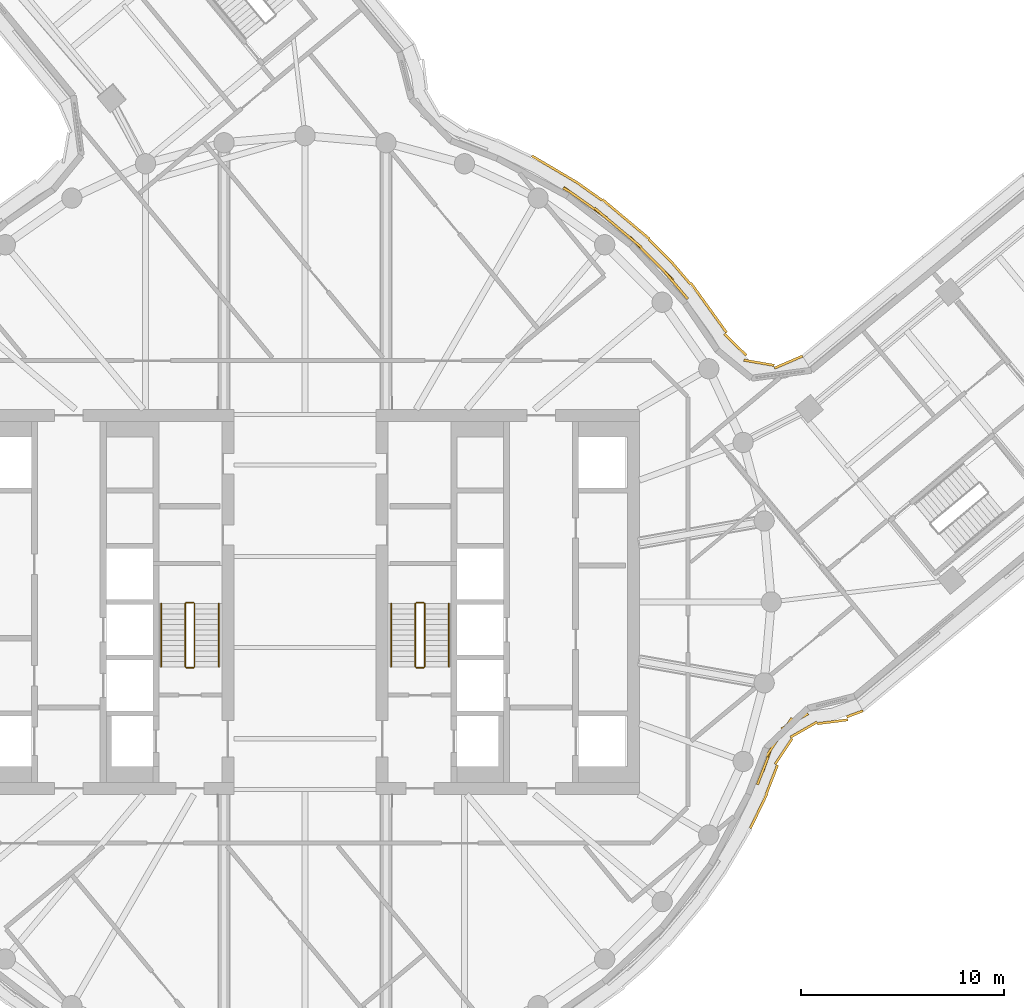
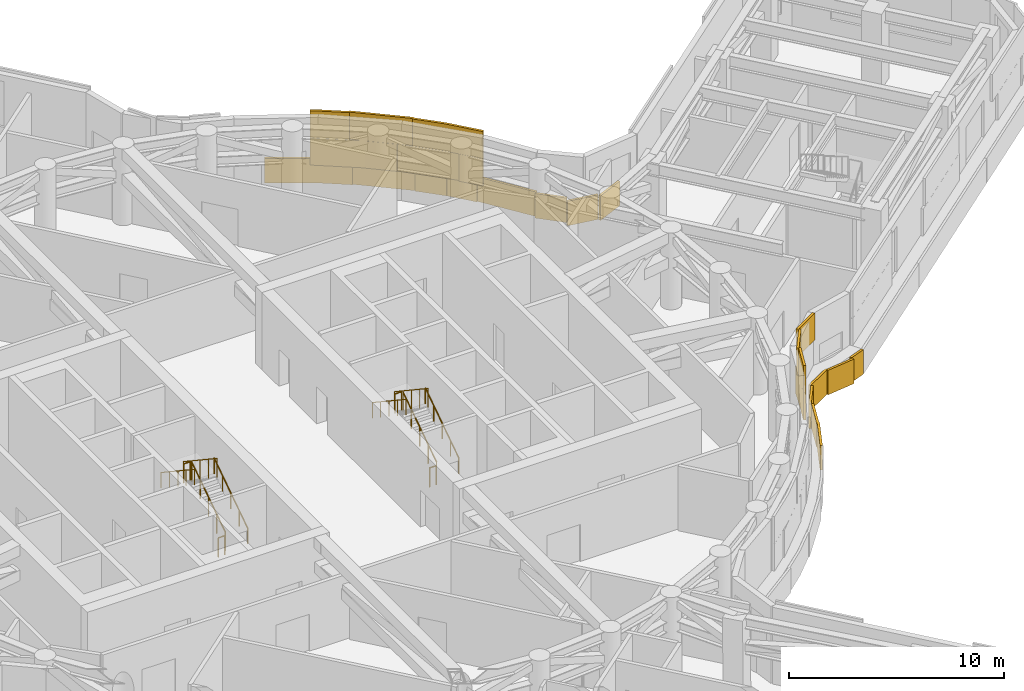
# One storey, part 19 of 22: 12 railings, 2 coverings.
"""IFC4 building model written with IfcOpenShell, lengths in metres."""

from ifc_helpers import new_model, si_unit, direction, frame, origin, origin_2d, place, context, subcontext, project, spatial, rectangle, circle, extrude, material, layer, layer_set, type_object, element, save


model = new_model("IFC4")

# Units and contexts
model_context = context("Model", 3, precision=1e-05, world=origin(), true_north=direction((0.0, 1.0)))
body_context = subcontext(model_context, "Body", "Model", "MODEL_VIEW")
ifc_project = project(units=[si_unit("LENGTHUNIT", "METRE"), si_unit("AREAUNIT", "SQUARE_METRE"), si_unit("VOLUMEUNIT", "CUBIC_METRE"), si_unit("PLANEANGLEUNIT", "RADIAN"), si_unit("MASSUNIT", "GRAM", prefix="KILO")], contexts=[model_context])

# Site, building, storey
site_placement = place(None, origin())
site = spatial("IfcSite", under=ifc_project, at=site_placement, CompositionType="ELEMENT")
building_placement = place(site_placement, origin())
building = spatial("IfcBuilding", under=site, at=building_placement, Name="Tamarind Cross Interchange Tower", CompositionType="ELEMENT")
storey_placement = place(building_placement, frame((0.0, 0.0, 178.0)))
storey = spatial("IfcBuildingStorey", under=building, at=storey_placement, Name="L44", CompositionType="ELEMENT", Elevation=178.0)

# Railings
ifc_material_1 = material(Name="Stair guard")
railing_type_1 = type_object("IfcRailingType", Name="Stair guard", PredefinedType="GUARDRAIL", material=ifc_material_1)
railing_1_placement = place(storey_placement, frame((-5.449951171875, -3.199951171875, 0.173095703125)))
element("IfcRailing", 1, at=railing_1_placement, inside=storey, type_object=railing_type_1, Name="L44 ST1 stair guard 1", PredefinedType="GUARDRAIL", context=body_context, shape_type="SweptSolid", body=[
    extrude(circle(Radius=0.02392578125, at=origin_2d()), frame((0.0, 0.0, 1.076171875), z_axis=(0.0, 0.832420903958, 0.554143879018), x_axis=(-1.0, 0.0, 0.0)), (0.0, 0.0, 1.0), 3.748046875),
    extrude(circle(Radius=0.02099609375, at=origin_2d()), origin(), (0.0, 0.0, 1.0), 1.052001953125),
    extrude(circle(Radius=0.02099609375, at=origin_2d()), frame((0.0, 0.780029296875, 0.519287109375)), (0.0, 0.0, 1.0), 1.052001953125),
    extrude(circle(Radius=0.02099609375, at=origin_2d()), frame((0.0, 1.56005859375, 1.03857421875)), (0.0, 0.0, 1.0), 1.052001953125),
    extrude(circle(Radius=0.02099609375, at=origin_2d()), frame((0.0, 2.33984375, 1.5576171875)), (0.0, 0.0, 1.0), 1.052001953125),
    extrude(circle(Radius=0.02099609375, at=origin_2d()), frame((0.0, 3.119873046875, 2.076904296875)), (0.0, 0.0, 1.0), 1.052001953125),
])
railing_2_placement = place(storey_placement, frame((-5.5, -0.030029296875, 2.25)))
element("IfcRailing", 2, at=railing_2_placement, inside=storey, type_object=railing_type_1, Name="L44 ST1 stair guard 2", PredefinedType="GUARDRAIL", context=body_context, shape_type="SweptSolid", body=[
    extrude(circle(Radius=0.02392578125, at=origin_2d()), frame((0.0, 0.0, 1.076171875), z_axis=(-1.0, 0.0, 0.0), x_axis=(0.0, -1.0, 0.0)), (0.0, 0.0, 1.0), 0.35009765625),
    extrude(circle(Radius=0.02099609375, at=origin_2d()), origin(), (0.0, 0.0, 1.0), 1.052001953125),
    extrude(circle(Radius=0.02099609375, at=origin_2d()), frame((-0.35009765625, 0.0, 0.0)), (0.0, 0.0, 1.0), 1.052001953125),
])
railing_3_placement = place(storey_placement, frame((-5.89990234375, -0.080078125, 2.423095703125)))
element("IfcRailing", 3, at=railing_3_placement, inside=storey, type_object=railing_type_1, Name="L44 ST1 stair guard 3", PredefinedType="GUARDRAIL", context=body_context, shape_type="SweptSolid", body=[
    extrude(circle(Radius=0.02392578125, at=origin_2d()), frame((0.0, 0.0, 1.076171875), z_axis=(0.0, -0.832420903958, 0.554143879018), x_axis=(1.0, 0.0, 0.0)), (0.0, 0.0, 1.0), 3.748046875),
    extrude(circle(Radius=0.02099609375, at=origin_2d()), origin(), (0.0, 0.0, 1.0), 1.052001953125),
    extrude(circle(Radius=0.02099609375, at=origin_2d()), frame((0.0, -0.780029296875, 0.519287109375)), (0.0, 0.0, 1.0), 1.052001953125),
    extrude(circle(Radius=0.02099609375, at=origin_2d()), frame((0.0, -1.56005859375, 1.03857421875)), (0.0, 0.0, 1.0), 1.052001953125),
    extrude(circle(Radius=0.02099609375, at=origin_2d()), frame((0.0, -2.33984375, 1.5576171875)), (0.0, 0.0, 1.0), 1.052001953125),
    extrude(circle(Radius=0.02099609375, at=origin_2d()), frame((0.0, -3.119873046875, 2.076904296875)), (0.0, 0.0, 1.0), 1.052001953125),
])
railing_4_placement = place(storey_placement, frame((-5.5, -3.25, 0.0)))
element("IfcRailing", 4, at=railing_4_placement, inside=storey, type_object=railing_type_1, Name="L44 ST1 stair guard 4", PredefinedType="GUARDRAIL", context=body_context, shape_type="SweptSolid", body=[
    extrude(circle(Radius=0.02392578125, at=origin_2d()), frame((0.0, 0.0, 1.076171875), z_axis=(-1.0, 0.0, 0.0), x_axis=(0.0, -1.0, 0.0)), (0.0, 0.0, 1.0), 0.35009765625),
    extrude(circle(Radius=0.02099609375, at=origin_2d()), origin(), (0.0, 0.0, 1.0), 1.052001953125),
    extrude(circle(Radius=0.02099609375, at=origin_2d()), frame((-0.35009765625, 0.0, 0.0)), (0.0, 0.0, 1.0), 1.052001953125),
])
railing_5_placement = place(storey_placement, frame((5.89990234375, -3.199951171875, 0.173095703125)))
element("IfcRailing", 5, at=railing_5_placement, inside=storey, type_object=railing_type_1, Name="L44 ST2 stair guard 1", PredefinedType="GUARDRAIL", context=body_context, shape_type="SweptSolid", body=[
    extrude(circle(Radius=0.02392578125, at=origin_2d()), frame((0.0, 0.0, 1.076171875), z_axis=(0.0, 0.832420903958, 0.554143879018), x_axis=(-1.0, 0.0, 0.0)), (0.0, 0.0, 1.0), 3.748046875),
    extrude(circle(Radius=0.02099609375, at=origin_2d()), origin(), (0.0, 0.0, 1.0), 1.052001953125),
    extrude(circle(Radius=0.02099609375, at=origin_2d()), frame((0.0, 0.780029296875, 0.519287109375)), (0.0, 0.0, 1.0), 1.052001953125),
    extrude(circle(Radius=0.02099609375, at=origin_2d()), frame((0.0, 1.56005859375, 1.03857421875)), (0.0, 0.0, 1.0), 1.052001953125),
    extrude(circle(Radius=0.02099609375, at=origin_2d()), frame((0.0, 2.33984375, 1.5576171875)), (0.0, 0.0, 1.0), 1.052001953125),
    extrude(circle(Radius=0.02099609375, at=origin_2d()), frame((0.0, 3.119873046875, 2.076904296875)), (0.0, 0.0, 1.0), 1.052001953125),
])
railing_6_placement = place(storey_placement, frame((5.85009765625, -0.030029296875, 2.25)))
element("IfcRailing", 6, at=railing_6_placement, inside=storey, type_object=railing_type_1, Name="L44 ST2 stair guard 2", PredefinedType="GUARDRAIL", context=body_context, shape_type="SweptSolid", body=[
    extrude(circle(Radius=0.02392578125, at=origin_2d()), frame((0.0, 0.0, 1.076171875), z_axis=(-1.0, 0.0, 0.0), x_axis=(0.0, -1.0, 0.0)), (0.0, 0.0, 1.0), 0.35009765625),
    extrude(circle(Radius=0.02099609375, at=origin_2d()), origin(), (0.0, 0.0, 1.0), 1.052001953125),
    extrude(circle(Radius=0.02099609375, at=origin_2d()), frame((-0.35009765625, 0.0, 0.0)), (0.0, 0.0, 1.0), 1.052001953125),
])
railing_7_placement = place(storey_placement, frame((5.449951171875, -0.080078125, 2.423095703125)))
element("IfcRailing", 7, at=railing_7_placement, inside=storey, type_object=railing_type_1, Name="L44 ST2 stair guard 3", PredefinedType="GUARDRAIL", context=body_context, shape_type="SweptSolid", body=[
    extrude(circle(Radius=0.02392578125, at=origin_2d()), frame((0.0, 0.0, 1.076171875), z_axis=(0.0, -0.832420903958, 0.554143879018), x_axis=(1.0, 0.0, 0.0)), (0.0, 0.0, 1.0), 3.748046875),
    extrude(circle(Radius=0.02099609375, at=origin_2d()), origin(), (0.0, 0.0, 1.0), 1.052001953125),
    extrude(circle(Radius=0.02099609375, at=origin_2d()), frame((0.0, -0.780029296875, 0.519287109375)), (0.0, 0.0, 1.0), 1.052001953125),
    extrude(circle(Radius=0.02099609375, at=origin_2d()), frame((0.0, -1.56005859375, 1.03857421875)), (0.0, 0.0, 1.0), 1.052001953125),
    extrude(circle(Radius=0.02099609375, at=origin_2d()), frame((0.0, -2.33984375, 1.5576171875)), (0.0, 0.0, 1.0), 1.052001953125),
    extrude(circle(Radius=0.02099609375, at=origin_2d()), frame((0.0, -3.119873046875, 2.076904296875)), (0.0, 0.0, 1.0), 1.052001953125),
])
railing_8_placement = place(storey_placement, frame((5.85009765625, -3.25, 0.0)))
element("IfcRailing", 8, at=railing_8_placement, inside=storey, type_object=railing_type_1, Name="L44 ST2 stair guard 4", PredefinedType="GUARDRAIL", context=body_context, shape_type="SweptSolid", body=[
    extrude(circle(Radius=0.02392578125, at=origin_2d()), frame((0.0, 0.0, 1.076171875), z_axis=(-1.0, 0.0, 0.0), x_axis=(0.0, -1.0, 0.0)), (0.0, 0.0, 1.0), 0.35009765625),
    extrude(circle(Radius=0.02099609375, at=origin_2d()), origin(), (0.0, 0.0, 1.0), 1.052001953125),
    extrude(circle(Radius=0.02099609375, at=origin_2d()), frame((-0.35009765625, 0.0, 0.0)), (0.0, 0.0, 1.0), 1.052001953125),
])
ifc_material_2 = material(Name="Stair handrail")
railing_type_2 = type_object("IfcRailingType", Name="Stair handrail", PredefinedType="HANDRAIL", material=ifc_material_2)
railing_9_placement = place(storey_placement, frame((-4.25, -3.199951171875, 0.173095703125)))
element("IfcRailing", 9, at=railing_9_placement, inside=storey, type_object=railing_type_2, Name="L44 ST1 stair handrail 1", PredefinedType="HANDRAIL", context=body_context, shape_type="SweptSolid", body=[
    extrude(circle(Radius=0.02392578125, at=origin_2d()), frame((0.0, 0.0, 0.8759765625), z_axis=(0.0, 0.832420903958, 0.554143879018), x_axis=(-1.0, 0.0, 0.0)), (0.0, 0.0, 1.0), 3.748046875),
    extrude(circle(Radius=0.02099609375, at=origin_2d()), origin(), (0.0, 0.0, 1.0), 0.851806640625),
    extrude(circle(Radius=0.02099609375, at=origin_2d()), frame((0.0, 0.780029296875, 0.519287109375)), (0.0, 0.0, 1.0), 0.851806640625),
    extrude(circle(Radius=0.02099609375, at=origin_2d()), frame((0.0, 1.56005859375, 1.03857421875)), (0.0, 0.0, 1.0), 0.851806640625),
    extrude(circle(Radius=0.02099609375, at=origin_2d()), frame((0.0, 2.33984375, 1.5576171875)), (0.0, 0.0, 1.0), 0.851806640625),
    extrude(circle(Radius=0.02099609375, at=origin_2d()), frame((0.0, 3.119873046875, 2.076904296875)), (0.0, 0.0, 1.0), 0.851806640625),
])
railing_10_placement = place(storey_placement, frame((-7.10009765625, -0.080078125, 2.423095703125)))
element("IfcRailing", 10, at=railing_10_placement, inside=storey, type_object=railing_type_2, Name="L44 ST1 stair handrail 2", PredefinedType="HANDRAIL", context=body_context, shape_type="SweptSolid", body=[
    extrude(circle(Radius=0.02392578125, at=origin_2d()), frame((0.0, 0.0, 0.8759765625), z_axis=(0.0, -0.832420903958, 0.554143879018), x_axis=(1.0, 0.0, 0.0)), (0.0, 0.0, 1.0), 3.748046875),
    extrude(circle(Radius=0.02099609375, at=origin_2d()), origin(), (0.0, 0.0, 1.0), 0.851806640625),
    extrude(circle(Radius=0.02099609375, at=origin_2d()), frame((0.0, -0.780029296875, 0.519287109375)), (0.0, 0.0, 1.0), 0.851806640625),
    extrude(circle(Radius=0.02099609375, at=origin_2d()), frame((0.0, -1.56005859375, 1.03857421875)), (0.0, 0.0, 1.0), 0.851806640625),
    extrude(circle(Radius=0.02099609375, at=origin_2d()), frame((0.0, -2.33984375, 1.5576171875)), (0.0, 0.0, 1.0), 0.851806640625),
    extrude(circle(Radius=0.02099609375, at=origin_2d()), frame((0.0, -3.119873046875, 2.076904296875)), (0.0, 0.0, 1.0), 0.851806640625),
])
railing_11_placement = place(storey_placement, frame((7.10009765625, -3.199951171875, 0.173095703125)))
element("IfcRailing", 11, at=railing_11_placement, inside=storey, type_object=railing_type_2, Name="L44 ST2 stair handrail 1", PredefinedType="HANDRAIL", context=body_context, shape_type="SweptSolid", body=[
    extrude(circle(Radius=0.02392578125, at=origin_2d()), frame((0.0, 0.0, 0.8759765625), z_axis=(0.0, 0.832420903958, 0.554143879018), x_axis=(-1.0, 0.0, 0.0)), (0.0, 0.0, 1.0), 3.748046875),
    extrude(circle(Radius=0.02099609375, at=origin_2d()), origin(), (0.0, 0.0, 1.0), 0.851806640625),
    extrude(circle(Radius=0.02099609375, at=origin_2d()), frame((0.0, 0.780029296875, 0.519287109375)), (0.0, 0.0, 1.0), 0.851806640625),
    extrude(circle(Radius=0.02099609375, at=origin_2d()), frame((0.0, 1.56005859375, 1.03857421875)), (0.0, 0.0, 1.0), 0.851806640625),
    extrude(circle(Radius=0.02099609375, at=origin_2d()), frame((0.0, 2.33984375, 1.5576171875)), (0.0, 0.0, 1.0), 0.851806640625),
    extrude(circle(Radius=0.02099609375, at=origin_2d()), frame((0.0, 3.119873046875, 2.076904296875)), (0.0, 0.0, 1.0), 0.851806640625),
])
railing_12_placement = place(storey_placement, frame((4.25, -0.080078125, 2.423095703125)))
element("IfcRailing", 12, at=railing_12_placement, inside=storey, type_object=railing_type_2, Name="L44 ST2 stair handrail 2", PredefinedType="HANDRAIL", context=body_context, shape_type="SweptSolid", body=[
    extrude(circle(Radius=0.02392578125, at=origin_2d()), frame((0.0, 0.0, 0.8759765625), z_axis=(0.0, -0.832420903958, 0.554143879018), x_axis=(1.0, 0.0, 0.0)), (0.0, 0.0, 1.0), 3.748046875),
    extrude(circle(Radius=0.02099609375, at=origin_2d()), origin(), (0.0, 0.0, 1.0), 0.851806640625),
    extrude(circle(Radius=0.02099609375, at=origin_2d()), frame((0.0, -0.780029296875, 0.519287109375)), (0.0, 0.0, 1.0), 0.851806640625),
    extrude(circle(Radius=0.02099609375, at=origin_2d()), frame((0.0, -1.56005859375, 1.03857421875)), (0.0, 0.0, 1.0), 0.851806640625),
    extrude(circle(Radius=0.02099609375, at=origin_2d()), frame((0.0, -2.33984375, 1.5576171875)), (0.0, 0.0, 1.0), 0.851806640625),
    extrude(circle(Radius=0.02099609375, at=origin_2d()), frame((0.0, -3.119873046875, 2.076904296875)), (0.0, 0.0, 1.0), 0.851806640625),
])

# Coverings
ifc_material_3 = material(Name="Terracotta", Category="masonry")
ifc_layer = layer(ifc_material_3, 0.1201171875)
ifc_layer_set = layer_set([ifc_layer], Name="Terracotta")
covering_type = type_object("IfcCoveringType", Name="Terracotta baguette screen unit", PredefinedType="MOLDING", material=ifc_layer_set)
covering_1_placement = place(storey_placement, origin())
element("IfcCovering", 13, at=covering_1_placement, inside=storey, type_object=covering_type, Name="SCR-L44-06-01", PredefinedType="MOLDING", context=body_context, shape_type="SweptSolid", body=[
    extrude(rectangle(XDim=0.718994140625, YDim=0.1201171875, at=origin_2d()), frame((22.450439453125, -8.674072265625, 1.404052734375), z_axis=(0.0, 0.0, 1.0), x_axis=(0.361834806358, 0.932242228666, 0.0)), (0.0, 0.0, 1.0), 1.5419921875),
    extrude(rectangle(XDim=1.52001953125, YDim=0.1201171875, at=origin_2d()), frame((22.845458984375, -7.642578125, 1.404052734375), z_axis=(0.0, 0.0, 1.0), x_axis=(0.334670760287, 0.942335122029, 0.0)), (0.0, 0.0, 1.0), 1.5419921875),
    extrude(rectangle(XDim=1.52001953125, YDim=0.1201171875, at=origin_2d()), frame((23.599853515625, -6.355712890625, 1.404052734375), z_axis=(0.0, 0.0, 1.0), x_axis=(0.554847821834, 0.831951858346, 0.0)), (0.0, 0.0, 1.0), 1.5419921875),
    extrude(rectangle(XDim=1.468994140625, YDim=0.1201171875, at=origin_2d()), frame((22.586181640625, -8.324462890625, 2.9541015625), z_axis=(0.0, 0.0, 1.0), x_axis=(0.361834806358, 0.932242228666, 0.0)), (0.0, 0.0, 1.0), 1.5419921875),
    extrude(rectangle(XDim=1.52001953125, YDim=0.1201171875, at=origin_2d()), frame((23.183837890625, -6.979736328125, 2.9541015625), z_axis=(0.0, 0.0, 1.0), x_axis=(0.554847821834, 0.831951858346, 0.0)), (0.0, 0.0, 1.0), 1.5419921875),
    extrude(rectangle(XDim=1.52001953125, YDim=0.1201171875, at=origin_2d()), frame((24.1640625, -5.890380859375, 2.9541015625), z_axis=(0.0, 0.0, 1.0), x_axis=(0.868488772559, 0.495708837866, 0.0)), (0.0, 0.0, 1.0), 1.5419921875),
    extrude(rectangle(XDim=0.40966796875, YDim=0.1201171875, at=origin_2d()), frame((22.05419921875, -10.990966796875, 0.00390625), z_axis=(0.0, 0.0, 1.0), x_axis=(0.435326231914, 0.900272776334, 0.0)), (0.0, 0.0, 1.0), 1.39208984375),
    extrude(rectangle(XDim=1.52001953125, YDim=0.1201171875, at=origin_2d()), frame((22.465576171875, -10.14013671875, 0.00390625), z_axis=(0.0, 0.0, 1.0), x_axis=(0.435326231914, 0.900272776334, 0.0)), (0.0, 0.0, 1.0), 1.39208984375),
    extrude(rectangle(XDim=1.52001953125, YDim=0.1201171875, at=origin_2d()), frame((23.035400390625, -8.753662109375, 0.00390625), z_axis=(0.0, 0.0, 1.0), x_axis=(0.361834806358, 0.932242228666, 0.0)), (0.0, 0.0, 1.0), 1.39208984375),
    extrude(rectangle(XDim=1.52001953125, YDim=0.1201171875, at=origin_2d()), frame((23.610595703125, -7.3740234375, 0.00390625), z_axis=(0.0, 0.0, 1.0), x_axis=(0.554847821834, 0.831951858346, 0.0)), (0.0, 0.0, 1.0), 1.39208984375),
    extrude(rectangle(XDim=1.52001953125, YDim=0.1201171875, at=origin_2d()), frame((24.604736328125, -6.299560546875, 0.00390625), z_axis=(0.0, 0.0, 1.0), x_axis=(0.868488772559, 0.495708837866, 0.0)), (0.0, 0.0, 1.0), 1.39208984375),
    extrude(rectangle(XDim=1.52001953125, YDim=0.1201171875, at=origin_2d()), frame((26.0263671875, -5.9111328125, 0.00390625), z_axis=(0.0, 0.0, 1.0), x_axis=(0.991925368956, 0.126822956995, 0.0)), (0.0, 0.0, 1.0), 1.39208984375),
    extrude(rectangle(XDim=0.856201171875, YDim=0.1201171875, at=origin_2d()), frame((27.12548828125, -5.5224609375, 0.00390625), z_axis=(0.0, 0.0, 1.0), x_axis=(0.936780063901, 0.349918721817, 0.0)), (0.0, 0.0, 1.0), 1.39208984375),
])
covering_2_placement = place(storey_placement, origin())
element("IfcCovering", 14, at=covering_2_placement, inside=storey, type_object=covering_type, Name="SCR-L44-10-00", PredefinedType="MOLDING", context=body_context, shape_type="SweptSolid", body=[
    extrude(rectangle(XDim=1.185546875, YDim=0.1201171875, at=origin_2d()), frame((18.499755859375, 15.39501953125, 1.404052734375), z_axis=(0.0, 0.0, 1.0), x_axis=(-0.64957723968, 0.760295606781, 0.0)), (0.0, 0.0, 1.0), 1.5419921875),
    extrude(rectangle(XDim=1.52001953125, YDim=0.1201171875, at=origin_2d()), frame((17.62890625, 16.410400390625, 1.404052734375), z_axis=(0.0, 0.0, 1.0), x_axis=(-0.710143317658, 0.704057148523, 0.0)), (0.0, 0.0, 1.0), 1.5419921875),
    extrude(rectangle(XDim=1.52001953125, YDim=0.1201171875, at=origin_2d()), frame((16.563720703125, 17.46630859375, 1.404052734375), z_axis=(0.0, 0.0, 1.0), x_axis=(-0.710143317658, 0.704057148523, 0.0)), (0.0, 0.0, 1.0), 1.5419921875),
    extrude(rectangle(XDim=1.52001953125, YDim=0.1201171875, at=origin_2d()), frame((15.440673828125, 18.458984375, 1.404052734375), z_axis=(0.0, 0.0, 1.0), x_axis=(-0.765858396687, 0.643009266048, 0.0)), (0.0, 0.0, 1.0), 1.5419921875),
    extrude(rectangle(XDim=1.52001953125, YDim=0.1201171875, at=origin_2d()), frame((14.26416015625, 19.3876953125, 1.404052734375), z_axis=(0.0, 0.0, 1.0), x_axis=(-0.816341886298, 0.577568978284, 0.0)), (0.0, 0.0, 1.0), 1.5419921875),
    extrude(rectangle(XDim=1.10107421875, YDim=0.1201171875, at=origin_2d()), frame((13.20654296875, 20.135986328125, 1.404052734375), z_axis=(0.0, 0.0, 1.0), x_axis=(-0.816341886298, 0.577568978284, 0.0)), (0.0, 0.0, 1.0), 1.5419921875),
    extrude(rectangle(XDim=0.435546875, YDim=0.1201171875, at=origin_2d()), frame((18.743408203125, 15.10986328125, 2.9541015625), z_axis=(0.0, 0.0, 1.0), x_axis=(-0.64957723968, 0.760295606781, 0.0)), (0.0, 0.0, 1.0), 1.5419921875),
    extrude(rectangle(XDim=1.52001953125, YDim=0.1201171875, at=origin_2d()), frame((18.117919921875, 15.841796875, 2.9541015625), z_axis=(0.0, 0.0, 1.0), x_axis=(-0.64957723968, 0.760295606781, 0.0)), (0.0, 0.0, 1.0), 1.5419921875),
    extrude(rectangle(XDim=1.52001953125, YDim=0.1201171875, at=origin_2d()), frame((17.096435546875, 16.9384765625, 2.9541015625), z_axis=(0.0, 0.0, 1.0), x_axis=(-0.710143317658, 0.704057148523, 0.0)), (0.0, 0.0, 1.0), 1.5419921875),
    extrude(rectangle(XDim=1.52001953125, YDim=0.1201171875, at=origin_2d()), frame((16.014892578125, 17.976806640625, 2.9541015625), z_axis=(0.0, 0.0, 1.0), x_axis=(-0.765858396687, 0.643009266048, 0.0)), (0.0, 0.0, 1.0), 1.5419921875),
    extrude(rectangle(XDim=1.52001953125, YDim=0.1201171875, at=origin_2d()), frame((14.8662109375, 18.94140625, 2.9541015625), z_axis=(0.0, 0.0, 1.0), x_axis=(-0.765858396687, 0.643009266048, 0.0)), (0.0, 0.0, 1.0), 1.5419921875),
    extrude(rectangle(XDim=1.52001953125, YDim=0.1201171875, at=origin_2d()), frame((13.65185546875, 19.82080078125, 2.9541015625), z_axis=(0.0, 0.0, 1.0), x_axis=(-0.816341886298, 0.577568978284, 0.0)), (0.0, 0.0, 1.0), 1.5419921875),
    extrude(rectangle(XDim=0.35107421875, YDim=0.1201171875, at=origin_2d()), frame((12.89013671875, 20.336669921875, 2.9541015625), z_axis=(0.0, 0.0, 1.0), x_axis=(-0.861248933065, 0.508183308752, 0.0)), (0.0, 0.0, 1.0), 1.5419921875),
    extrude(rectangle(XDim=1.510009765625, YDim=0.1201171875, at=origin_2d()), frame((23.852294921875, 11.83056640625, 0.00390625), z_axis=(0.0, 0.0, 1.0), x_axis=(-0.919019017417, -0.394213198188, 0.0)), (0.0, 0.0, 1.0), 1.39208984375),
    extrude(rectangle(XDim=1.52001953125, YDim=0.1201171875, at=origin_2d()), frame((22.3974609375, 11.7978515625, 0.00390625), z_axis=(0.0, 0.0, 1.0), x_axis=(-0.985544047078, 0.169419394609, 0.0)), (0.0, 0.0, 1.0), 1.39208984375),
    extrude(rectangle(XDim=1.52001953125, YDim=0.1201171875, at=origin_2d()), frame((21.22607421875, 12.689697265625, 0.00390625), z_axis=(0.0, 0.0, 1.0), x_axis=(-0.716480906333, 0.697606702132, 0.0)), (0.0, 0.0, 1.0), 1.39208984375),
    extrude(rectangle(XDim=1.52001953125, YDim=0.1201171875, at=origin_2d()), frame((20.353515625, 13.900634765625, 0.00390625), z_axis=(0.0, 0.0, 1.0), x_axis=(-0.584573890505, 0.811340475102, 0.0)), (0.0, 0.0, 1.0), 1.39208984375),
    extrude(rectangle(XDim=1.52001953125, YDim=0.1201171875, at=origin_2d()), frame((19.4765625, 15.11767578125, 0.00390625), z_axis=(0.0, 0.0, 1.0), x_axis=(-0.584573890505, 0.811340475102, 0.0)), (0.0, 0.0, 1.0), 1.39208984375),
    extrude(rectangle(XDim=1.52001953125, YDim=0.1201171875, at=origin_2d()), frame((18.51123046875, 16.26513671875, 0.00390625), z_axis=(0.0, 0.0, 1.0), x_axis=(-0.64957723968, 0.760295606781, 0.0)), (0.0, 0.0, 1.0), 1.39208984375),
    extrude(rectangle(XDim=1.52001953125, YDim=0.1201171875, at=origin_2d()), frame((17.487060546875, 17.359375, 0.00390625), z_axis=(0.0, 0.0, 1.0), x_axis=(-0.710143317658, 0.704057148523, 0.0)), (0.0, 0.0, 1.0), 1.39208984375),
    extrude(rectangle(XDim=1.52001953125, YDim=0.1201171875, at=origin_2d()), frame((16.406005859375, 18.39794921875, 0.00390625), z_axis=(0.0, 0.0, 1.0), x_axis=(-0.765858396687, 0.643009266048, 0.0)), (0.0, 0.0, 1.0), 1.39208984375),
    extrude(rectangle(XDim=1.52001953125, YDim=0.1201171875, at=origin_2d()), frame((15.257080078125, 19.362548828125, 0.00390625), z_axis=(0.0, 0.0, 1.0), x_axis=(-0.765858396687, 0.643009266048, 0.0)), (0.0, 0.0, 1.0), 1.39208984375),
    extrude(rectangle(XDim=1.52001953125, YDim=0.1201171875, at=origin_2d()), frame((14.04541015625, 20.245361328125, 0.00390625), z_axis=(0.0, 0.0, 1.0), x_axis=(-0.816341886298, 0.577568978284, 0.0)), (0.0, 0.0, 1.0), 1.39208984375),
    extrude(rectangle(XDim=1.52001953125, YDim=0.1201171875, at=origin_2d()), frame((12.7890625, 21.062744140625, 0.00390625), z_axis=(0.0, 0.0, 1.0), x_axis=(-0.861248933065, 0.508183308752, 0.0)), (0.0, 0.0, 1.0), 1.39208984375),
    extrude(rectangle(XDim=1.1103515625, YDim=0.1201171875, at=origin_2d()), frame((11.673828125, 21.720947265625, 0.00390625), z_axis=(0.0, 0.0, 1.0), x_axis=(-0.861248933065, 0.508183308752, 0.0)), (0.0, 0.0, 1.0), 1.39208984375),
])

save(model, "model.ifc")
